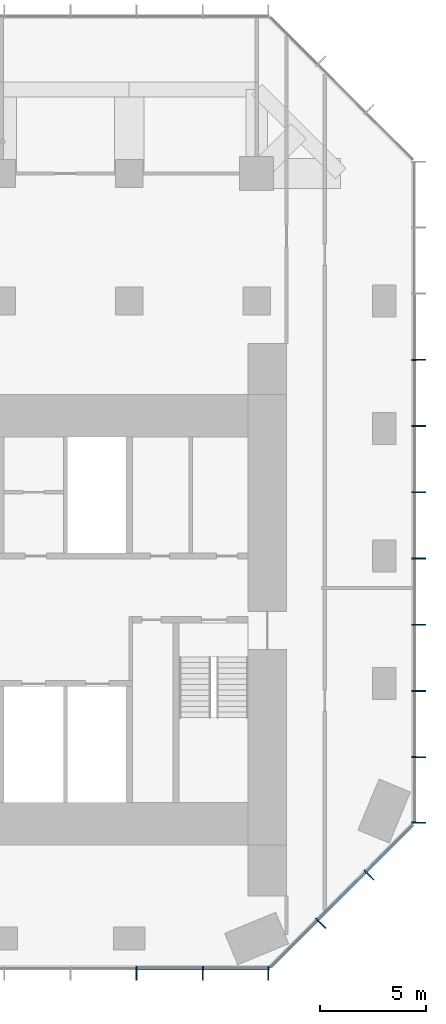
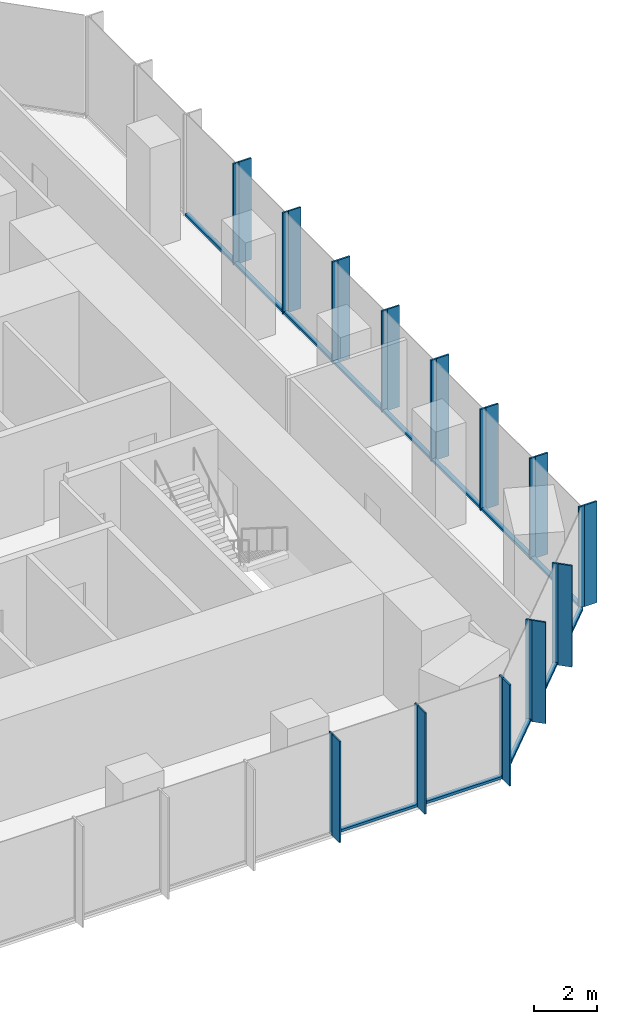
# One storey, part 4 of 11: 39 members, 3 elements without a shape of their own.
"""IFC4 building model written with IfcOpenShell, lengths in metres."""

from ifc_helpers import new_model, si_unit, direction, frame, origin, origin_2d, place, context, subcontext, project, spatial, rectangle, extrude, material, layer, layer_set, material_profile, profile_set, type_object, element, aggregate, save


model = new_model("IFC4")

# Units and contexts
model_context = context("Model", 3, precision=1e-05, world=origin(), true_north=direction((0.0, 1.0)))
body_context = subcontext(model_context, "Body", "Model", "MODEL_VIEW")
ifc_project = project(units=[si_unit("LENGTHUNIT", "METRE"), si_unit("AREAUNIT", "SQUARE_METRE"), si_unit("VOLUMEUNIT", "CUBIC_METRE"), si_unit("PLANEANGLEUNIT", "RADIAN"), si_unit("MASSUNIT", "GRAM", prefix="KILO")], contexts=[model_context])

# Site, building, storey
site_placement = place(None, origin())
site = spatial("IfcSite", under=ifc_project, at=site_placement, CompositionType="ELEMENT")
building_placement = place(site_placement, origin())
building = spatial("IfcBuilding", under=site, at=building_placement, Name="Highveld Stack Headquarters", CompositionType="ELEMENT")
storey_placement = place(building_placement, frame((0.0, 0.0, 200.60009765625)))
storey = spatial("IfcBuildingStorey", under=building, at=storey_placement, Name="L49", CompositionType="ELEMENT", Elevation=200.60009765625)

# Curtain wall, members
ifc_material_1 = material(Name="Aluminium bronze anodised", Category="aluminium")
ifc_layer_1 = layer(ifc_material_1, 0.199951171875)
ifc_layer_set_1 = layer_set([ifc_layer_1], Name="Aluminium bronze anodised")
curtain_wall_type_1 = type_object("IfcCurtainWallType", Name="CW1 TOWER UNITISED CURTAIN WALL", PredefinedType="NOTDEFINED", material=ifc_layer_set_1)
curtain_wall_1_placement = place(storey_placement, origin())
curtain_wall_1 = element("IfcCurtainWall", 1, at=curtain_wall_1_placement, inside=storey, type_object=curtain_wall_type_1, Name="Curtain wall CW1 L49 S", PredefinedType="NOTDEFINED")
ifc_material_2 = material(Name="Aluminium bronze anodised", Category="aluminium")
ifc_material_profile_1 = material_profile(ifc_material_2, rectangle(XDim=0.449951171875, YDim=0.06005859375, at=origin_2d()), Name="FIN 450x60")
ifc_profile_set_1 = profile_set([ifc_material_profile_1], Name="Aluminium bronze anodised")
member_type_1 = type_object("IfcMemberType", Name="CW1 BRONZE FIN 450x60", PredefinedType="USERDEFINED", material=ifc_profile_set_1)
member_1_placement = place(storey_placement, frame((12.347900390625, -13.72509765625, 0.0), z_axis=(0.0, 0.0, 1.0), x_axis=(0.0, 1.0, 0.0)))
member_1 = element("IfcMember", 2, at=member_1_placement, type_object=member_type_1, Name="CW1 fin L49 9", ObjectType="FIN", PredefinedType="USERDEFINED", context=body_context, shape_type="SweptSolid", body=[
    extrude(rectangle(XDim=0.449951171875, YDim=0.06005859375, at=origin_2d()), origin(), (0.0, 0.0, 1.0), 3.89990234375),
])
member_2_placement = place(storey_placement, frame((15.4638671875, -13.72509765625, 0.0), z_axis=(0.0, 0.0, 1.0), x_axis=(0.0, 1.0, 0.0)))
member_2 = element("IfcMember", 3, at=member_2_placement, type_object=member_type_1, Name="CW1 fin L49 10", ObjectType="FIN", PredefinedType="USERDEFINED", context=body_context, shape_type="SweptSolid", body=[
    extrude(rectangle(XDim=0.449951171875, YDim=0.06005859375, at=origin_2d()), origin(), (0.0, 0.0, 1.0), 3.89990234375),
])
member_3_placement = place(storey_placement, frame((18.54736328125, -13.72509765625, 0.0), z_axis=(0.0, 0.0, 1.0), x_axis=(0.0, 1.0, 0.0)))
member_3 = element("IfcMember", 4, at=member_3_placement, type_object=member_type_1, Name="CW1 fin L49 11", ObjectType="FIN", PredefinedType="USERDEFINED", context=body_context, shape_type="SweptSolid", body=[
    extrude(rectangle(XDim=0.449951171875, YDim=0.06005859375, at=origin_2d()), origin(), (0.0, 0.0, 1.0), 3.89990234375),
])

curtain_wall_2_placement = place(storey_placement, origin())
curtain_wall_2 = element("IfcCurtainWall", 5, at=curtain_wall_2_placement, inside=storey, type_object=curtain_wall_type_1, Name="Curtain wall CW1 L49 E", PredefinedType="NOTDEFINED")
member_4_placement = place(storey_placement, frame((25.72509765625, -6.54736328125, 0.0), z_axis=(0.0, 0.0, 1.0), x_axis=(-1.0, 0.0, 0.0)))
member_4 = element("IfcMember", 6, at=member_4_placement, type_object=member_type_1, Name="CW1 fin L49 1", ObjectType="FIN", PredefinedType="USERDEFINED", context=body_context, shape_type="SweptSolid", body=[
    extrude(rectangle(XDim=0.449951171875, YDim=0.06005859375, at=origin_2d()), origin(), (0.0, 0.0, 1.0), 3.89990234375),
])
member_5_placement = place(storey_placement, frame((25.72509765625, -3.4638671875, 0.0), z_axis=(0.0, 0.0, 1.0), x_axis=(-1.0, 0.0, 0.0)))
member_5 = element("IfcMember", 7, at=member_5_placement, type_object=member_type_1, Name="CW1 fin L49 2", ObjectType="FIN", PredefinedType="USERDEFINED", context=body_context, shape_type="SweptSolid", body=[
    extrude(rectangle(XDim=0.449951171875, YDim=0.06005859375, at=origin_2d()), origin(), (0.0, 0.0, 1.0), 3.89990234375),
])
member_6_placement = place(storey_placement, frame((25.72509765625, -0.347900390625, 0.0), z_axis=(0.0, 0.0, 1.0), x_axis=(-1.0, 0.0, 0.0)))
member_6 = element("IfcMember", 8, at=member_6_placement, type_object=member_type_1, Name="CW1 fin L49 3", ObjectType="FIN", PredefinedType="USERDEFINED", context=body_context, shape_type="SweptSolid", body=[
    extrude(rectangle(XDim=0.449951171875, YDim=0.06005859375, at=origin_2d()), origin(), (0.0, 0.0, 1.0), 3.89990234375),
])
member_7_placement = place(storey_placement, frame((25.72509765625, 2.76806640625, 0.0), z_axis=(0.0, 0.0, 1.0), x_axis=(-1.0, 0.0, 0.0)))
member_7 = element("IfcMember", 9, at=member_7_placement, type_object=member_type_1, Name="CW1 fin L49 4", ObjectType="FIN", PredefinedType="USERDEFINED", context=body_context, shape_type="SweptSolid", body=[
    extrude(rectangle(XDim=0.449951171875, YDim=0.06005859375, at=origin_2d()), origin(), (0.0, 0.0, 1.0), 3.89990234375),
])
member_8_placement = place(storey_placement, frame((25.72509765625, 5.884033203125, 0.0), z_axis=(0.0, 0.0, 1.0), x_axis=(-1.0, 0.0, 0.0)))
member_8 = element("IfcMember", 10, at=member_8_placement, type_object=member_type_1, Name="CW1 fin L49 5", ObjectType="FIN", PredefinedType="USERDEFINED", context=body_context, shape_type="SweptSolid", body=[
    extrude(rectangle(XDim=0.449951171875, YDim=0.06005859375, at=origin_2d()), origin(), (0.0, 0.0, 1.0), 3.89990234375),
])
member_9_placement = place(storey_placement, frame((25.72509765625, 9.0, 0.0), z_axis=(0.0, 0.0, 1.0), x_axis=(-1.0, 0.0, 0.0)))
member_9 = element("IfcMember", 11, at=member_9_placement, type_object=member_type_1, Name="CW1 fin L49 6", ObjectType="FIN", PredefinedType="USERDEFINED", context=body_context, shape_type="SweptSolid", body=[
    extrude(rectangle(XDim=0.449951171875, YDim=0.06005859375, at=origin_2d()), origin(), (0.0, 0.0, 1.0), 3.89990234375),
])
member_10_placement = place(storey_placement, frame((25.72509765625, 12.115966796875, 0.0), z_axis=(0.0, 0.0, 1.0), x_axis=(-1.0, 0.0, 0.0)))
member_10 = element("IfcMember", 12, at=member_10_placement, type_object=member_type_1, Name="CW1 fin L49 7", ObjectType="FIN", PredefinedType="USERDEFINED", context=body_context, shape_type="SweptSolid", body=[
    extrude(rectangle(XDim=0.449951171875, YDim=0.06005859375, at=origin_2d()), origin(), (0.0, 0.0, 1.0), 3.89990234375),
])
member_11_placement = place(storey_placement, frame((25.72509765625, 15.23193359375, 0.0), z_axis=(0.0, 0.0, 1.0), x_axis=(-1.0, 0.0, 0.0)))
member_11 = element("IfcMember", 13, at=member_11_placement, type_object=member_type_1, Name="CW1 fin L49 8", ObjectType="FIN", PredefinedType="USERDEFINED", context=body_context, shape_type="SweptSolid", body=[
    extrude(rectangle(XDim=0.449951171875, YDim=0.06005859375, at=origin_2d()), origin(), (0.0, 0.0, 1.0), 3.89990234375),
])

# Member
ifc_material_3 = material(Name="Aluminium bronze anodised", Category="aluminium")
ifc_material_profile_2 = material_profile(ifc_material_3, rectangle(XDim=0.199951171875, YDim=0.06494140625, at=origin_2d()), Name="CW1 MULLION 65x200")
ifc_profile_set_2 = profile_set([ifc_material_profile_2], Name="Aluminium bronze anodised")
member_type_2 = type_object("IfcMemberType", Name="CW1 MULLION 65x200", PredefinedType="MULLION", material=ifc_profile_set_2)
member_12_placement = place(storey_placement, frame((12.347900390625, -13.39990234375, 0.0), z_axis=(0.0, 0.0, 1.0), x_axis=(0.0, 1.0, 0.0)))
member_12 = element("IfcMember", 14, at=member_12_placement, type_object=member_type_2, Name="CW1 mullion L49 9", PredefinedType="MULLION", context=body_context, shape_type="SweptSolid", body=[
    extrude(rectangle(XDim=0.199951171875, YDim=0.06494140625, at=origin_2d()), origin(), (0.0, 0.0, 1.0), 3.89990234375),
])

member_13_placement = place(storey_placement, frame((15.4638671875, -13.39990234375, 0.0), z_axis=(0.0, 0.0, 1.0), x_axis=(0.0, 1.0, 0.0)))
member_13 = element("IfcMember", 15, at=member_13_placement, type_object=member_type_2, Name="CW1 mullion L49 10", PredefinedType="MULLION", context=body_context, shape_type="SweptSolid", body=[
    extrude(rectangle(XDim=0.199951171875, YDim=0.06494140625, at=origin_2d()), origin(), (0.0, 0.0, 1.0), 3.89990234375),
])

member_14_placement = place(storey_placement, frame((18.54736328125, -13.39990234375, 0.0), z_axis=(0.0, 0.0, 1.0), x_axis=(0.0, 1.0, 0.0)))
member_14 = element("IfcMember", 16, at=member_14_placement, type_object=member_type_2, Name="CW1 mullion L49 11", PredefinedType="MULLION", context=body_context, shape_type="SweptSolid", body=[
    extrude(rectangle(XDim=0.199951171875, YDim=0.06494140625, at=origin_2d()), origin(), (0.0, 0.0, 1.0), 3.89990234375),
])

member_15_placement = place(storey_placement, frame((25.39990234375, -6.54736328125, 0.0), z_axis=(0.0, 0.0, 1.0), x_axis=(-1.0, 0.0, 0.0)))
member_15 = element("IfcMember", 17, at=member_15_placement, type_object=member_type_2, Name="CW1 mullion L49 1", PredefinedType="MULLION", context=body_context, shape_type="SweptSolid", body=[
    extrude(rectangle(XDim=0.199951171875, YDim=0.06494140625, at=origin_2d()), origin(), (0.0, 0.0, 1.0), 3.89990234375),
])

member_16_placement = place(storey_placement, frame((25.39990234375, -3.4638671875, 0.0), z_axis=(0.0, 0.0, 1.0), x_axis=(-1.0, 0.0, 0.0)))
member_16 = element("IfcMember", 18, at=member_16_placement, type_object=member_type_2, Name="CW1 mullion L49 2", PredefinedType="MULLION", context=body_context, shape_type="SweptSolid", body=[
    extrude(rectangle(XDim=0.199951171875, YDim=0.06494140625, at=origin_2d()), origin(), (0.0, 0.0, 1.0), 3.89990234375),
])

member_17_placement = place(storey_placement, frame((25.39990234375, -0.347900390625, 0.0), z_axis=(0.0, 0.0, 1.0), x_axis=(-1.0, 0.0, 0.0)))
member_17 = element("IfcMember", 19, at=member_17_placement, type_object=member_type_2, Name="CW1 mullion L49 3", PredefinedType="MULLION", context=body_context, shape_type="SweptSolid", body=[
    extrude(rectangle(XDim=0.199951171875, YDim=0.06494140625, at=origin_2d()), origin(), (0.0, 0.0, 1.0), 3.89990234375),
])

member_18_placement = place(storey_placement, frame((25.39990234375, 2.76806640625, 0.0), z_axis=(0.0, 0.0, 1.0), x_axis=(-1.0, 0.0, 0.0)))
member_18 = element("IfcMember", 20, at=member_18_placement, type_object=member_type_2, Name="CW1 mullion L49 4", PredefinedType="MULLION", context=body_context, shape_type="SweptSolid", body=[
    extrude(rectangle(XDim=0.199951171875, YDim=0.06494140625, at=origin_2d()), origin(), (0.0, 0.0, 1.0), 3.89990234375),
])

member_19_placement = place(storey_placement, frame((25.39990234375, 5.884033203125, 0.0), z_axis=(0.0, 0.0, 1.0), x_axis=(-1.0, 0.0, 0.0)))
member_19 = element("IfcMember", 21, at=member_19_placement, type_object=member_type_2, Name="CW1 mullion L49 5", PredefinedType="MULLION", context=body_context, shape_type="SweptSolid", body=[
    extrude(rectangle(XDim=0.199951171875, YDim=0.06494140625, at=origin_2d()), origin(), (0.0, 0.0, 1.0), 3.89990234375),
])

member_20_placement = place(storey_placement, frame((25.39990234375, 9.0, 0.0), z_axis=(0.0, 0.0, 1.0), x_axis=(-1.0, 0.0, 0.0)))
member_20 = element("IfcMember", 22, at=member_20_placement, type_object=member_type_2, Name="CW1 mullion L49 6", PredefinedType="MULLION", context=body_context, shape_type="SweptSolid", body=[
    extrude(rectangle(XDim=0.199951171875, YDim=0.06494140625, at=origin_2d()), origin(), (0.0, 0.0, 1.0), 3.89990234375),
])

member_21_placement = place(storey_placement, frame((25.39990234375, 12.115966796875, 0.0), z_axis=(0.0, 0.0, 1.0), x_axis=(-1.0, 0.0, 0.0)))
member_21 = element("IfcMember", 23, at=member_21_placement, type_object=member_type_2, Name="CW1 mullion L49 7", PredefinedType="MULLION", context=body_context, shape_type="SweptSolid", body=[
    extrude(rectangle(XDim=0.199951171875, YDim=0.06494140625, at=origin_2d()), origin(), (0.0, 0.0, 1.0), 3.89990234375),
])

member_22_placement = place(storey_placement, frame((25.39990234375, 15.23193359375, 0.0), z_axis=(0.0, 0.0, 1.0), x_axis=(-1.0, 0.0, 0.0)))
member_22 = element("IfcMember", 24, at=member_22_placement, type_object=member_type_2, Name="CW1 mullion L49 8", PredefinedType="MULLION", context=body_context, shape_type="SweptSolid", body=[
    extrude(rectangle(XDim=0.199951171875, YDim=0.06494140625, at=origin_2d()), origin(), (0.0, 0.0, 1.0), 3.89990234375),
])

ifc_material_4 = material(Name="Aluminium bronze anodised", Category="aluminium")
ifc_material_profile_3 = material_profile(ifc_material_4, rectangle(XDim=0.14990234375, YDim=0.10009765625, at=origin_2d()), Name="CW1 TRANSOM 150x100")
ifc_profile_set_3 = profile_set([ifc_material_profile_3], Name="Aluminium bronze anodised")
member_type_3 = type_object("IfcMemberType", Name="CW1 STACK TRANSOM 150x100", PredefinedType="USERDEFINED", material=ifc_profile_set_3)
member_23_placement = place(storey_placement, frame((12.38037109375, -13.39990234375, 0.0498046875), z_axis=(1.0, 0.0, 0.0), x_axis=(0.0, 1.0, 0.0)))
member_23 = element("IfcMember", 25, at=member_23_placement, type_object=member_type_3, Name="CW1 transom L49 9.1", ObjectType="TRANSOM", PredefinedType="USERDEFINED", context=body_context, shape_type="SweptSolid", body=[
    extrude(rectangle(XDim=0.14990234375, YDim=0.10009765625, at=origin_2d()), origin(), (0.0, 0.0, 1.0), 3.051025390625),
])

member_24_placement = place(storey_placement, frame((15.496337890625, -13.39990234375, 0.0498046875), z_axis=(1.0, 0.0, 0.0), x_axis=(0.0, 1.0, 0.0)))
member_24 = element("IfcMember", 26, at=member_24_placement, type_object=member_type_3, Name="CW1 transom L49 10.1", ObjectType="TRANSOM", PredefinedType="USERDEFINED", context=body_context, shape_type="SweptSolid", body=[
    extrude(rectangle(XDim=0.14990234375, YDim=0.10009765625, at=origin_2d()), origin(), (0.0, 0.0, 1.0), 3.0185546875),
])

aggregate(curtain_wall_1, [member_12, member_1, member_13, member_2, member_14, member_3, member_23, member_24])

member_25_placement = place(storey_placement, frame((25.39990234375, -6.514892578125, 0.0498046875), z_axis=(0.0, 1.0, 0.0), x_axis=(-1.0, 0.0, 0.0)))
member_25 = element("IfcMember", 27, at=member_25_placement, type_object=member_type_3, Name="CW1 transom L49 1.1", ObjectType="TRANSOM", PredefinedType="USERDEFINED", context=body_context, shape_type="SweptSolid", body=[
    extrude(rectangle(XDim=0.14990234375, YDim=0.10009765625, at=origin_2d()), origin(), (0.0, 0.0, 1.0), 3.0185546875),
])

member_26_placement = place(storey_placement, frame((25.39990234375, -3.431396484375, 0.0498046875), z_axis=(0.0, 1.0, 0.0), x_axis=(-1.0, 0.0, 0.0)))
member_26 = element("IfcMember", 28, at=member_26_placement, type_object=member_type_3, Name="CW1 transom L49 2.1", ObjectType="TRANSOM", PredefinedType="USERDEFINED", context=body_context, shape_type="SweptSolid", body=[
    extrude(rectangle(XDim=0.14990234375, YDim=0.10009765625, at=origin_2d()), origin(), (0.0, 0.0, 1.0), 3.051025390625),
])

member_27_placement = place(storey_placement, frame((25.39990234375, -0.3154296875, 0.0498046875), z_axis=(0.0, 1.0, 0.0), x_axis=(-1.0, 0.0, 0.0)))
member_27 = element("IfcMember", 29, at=member_27_placement, type_object=member_type_3, Name="CW1 transom L49 3.1", ObjectType="TRANSOM", PredefinedType="USERDEFINED", context=body_context, shape_type="SweptSolid", body=[
    extrude(rectangle(XDim=0.14990234375, YDim=0.10009765625, at=origin_2d()), origin(), (0.0, 0.0, 1.0), 3.051025390625),
])

member_28_placement = place(storey_placement, frame((25.39990234375, 2.800537109375, 0.0498046875), z_axis=(0.0, 1.0, 0.0), x_axis=(-1.0, 0.0, 0.0)))
member_28 = element("IfcMember", 30, at=member_28_placement, type_object=member_type_3, Name="CW1 transom L49 4.1", ObjectType="TRANSOM", PredefinedType="USERDEFINED", context=body_context, shape_type="SweptSolid", body=[
    extrude(rectangle(XDim=0.14990234375, YDim=0.10009765625, at=origin_2d()), origin(), (0.0, 0.0, 1.0), 3.051025390625),
])

member_29_placement = place(storey_placement, frame((25.39990234375, 5.91650390625, 0.0498046875), z_axis=(0.0, 1.0, 0.0), x_axis=(-1.0, 0.0, 0.0)))
member_29 = element("IfcMember", 31, at=member_29_placement, type_object=member_type_3, Name="CW1 transom L49 5.1", ObjectType="TRANSOM", PredefinedType="USERDEFINED", context=body_context, shape_type="SweptSolid", body=[
    extrude(rectangle(XDim=0.14990234375, YDim=0.10009765625, at=origin_2d()), origin(), (0.0, 0.0, 1.0), 3.051025390625),
])

member_30_placement = place(storey_placement, frame((25.39990234375, 9.032470703125, 0.0498046875), z_axis=(0.0, 1.0, 0.0), x_axis=(-1.0, 0.0, 0.0)))
member_30 = element("IfcMember", 32, at=member_30_placement, type_object=member_type_3, Name="CW1 transom L49 6.1", ObjectType="TRANSOM", PredefinedType="USERDEFINED", context=body_context, shape_type="SweptSolid", body=[
    extrude(rectangle(XDim=0.14990234375, YDim=0.10009765625, at=origin_2d()), origin(), (0.0, 0.0, 1.0), 3.051025390625),
])

member_31_placement = place(storey_placement, frame((25.39990234375, 12.1484375, 0.0498046875), z_axis=(0.0, 1.0, 0.0), x_axis=(-1.0, 0.0, 0.0)))
member_31 = element("IfcMember", 33, at=member_31_placement, type_object=member_type_3, Name="CW1 transom L49 7.1", ObjectType="TRANSOM", PredefinedType="USERDEFINED", context=body_context, shape_type="SweptSolid", body=[
    extrude(rectangle(XDim=0.14990234375, YDim=0.10009765625, at=origin_2d()), origin(), (0.0, 0.0, 1.0), 3.051025390625),
])

member_32_placement = place(storey_placement, frame((25.39990234375, 15.264404296875, 0.0498046875), z_axis=(0.0, 1.0, 0.0), x_axis=(-1.0, 0.0, 0.0)))
member_32 = element("IfcMember", 34, at=member_32_placement, type_object=member_type_3, Name="CW1 transom L49 8.1", ObjectType="TRANSOM", PredefinedType="USERDEFINED", context=body_context, shape_type="SweptSolid", body=[
    extrude(rectangle(XDim=0.14990234375, YDim=0.10009765625, at=origin_2d()), origin(), (0.0, 0.0, 1.0), 3.051025390625),
])

aggregate(curtain_wall_2, [member_15, member_4, member_16, member_5, member_17, member_6, member_18, member_7, member_19, member_8, member_20, member_9, member_21, member_10, member_22, member_11, member_25, member_26, member_27, member_28, member_29, member_30, member_31, member_32])

# Curtain wall, members
ifc_material_5 = material(Name="Aluminium bronze anodised", Category="aluminium")
ifc_layer_2 = layer(ifc_material_5, 0.199951171875)
ifc_layer_set_2 = layer_set([ifc_layer_2], Name="Aluminium bronze anodised")
curtain_wall_type_2 = type_object("IfcCurtainWallType", Name="CW2 TOWER CHAMFER UNITISED CURTAIN WALL", PredefinedType="NOTDEFINED", material=ifc_layer_set_2)
curtain_wall_3_placement = place(storey_placement, origin())
curtain_wall_3 = element("IfcCurtainWall", 35, at=curtain_wall_3_placement, inside=storey, type_object=curtain_wall_type_2, Name="Curtain wall CW2 L49 SE", PredefinedType="NOTDEFINED")
ifc_material_6 = material(Name="Aluminium bronze anodised", Category="aluminium")
ifc_material_profile_4 = material_profile(ifc_material_6, rectangle(XDim=0.449951171875, YDim=0.06005859375, at=origin_2d()), Name="FIN 450x60")
ifc_profile_set_4 = profile_set([ifc_material_profile_4], Name="Aluminium bronze anodised")
member_type_4 = type_object("IfcMemberType", Name="CW2 BRONZE FIN 450x60", PredefinedType="USERDEFINED", material=ifc_profile_set_4)
member_33_placement = place(storey_placement, frame((21.0830078125, -11.3564453125, 0.0), z_axis=(0.0, 0.0, 1.0), x_axis=(-0.707106781187, 0.707106781187, 0.0)))
member_33 = element("IfcMember", 36, at=member_33_placement, type_object=member_type_4, Name="CW2 fin L49 1", ObjectType="FIN", PredefinedType="USERDEFINED", context=body_context, shape_type="SweptSolid", body=[
    extrude(rectangle(XDim=0.449951171875, YDim=0.06005859375, at=origin_2d()), origin(), (0.0, 0.0, 1.0), 3.89990234375),
])
member_34_placement = place(storey_placement, frame((23.3564453125, -9.0830078125, 0.0), z_axis=(0.0, 0.0, 1.0), x_axis=(-0.707106781187, 0.707106781187, 0.0)))
member_34 = element("IfcMember", 37, at=member_34_placement, type_object=member_type_4, Name="CW2 fin L49 2", ObjectType="FIN", PredefinedType="USERDEFINED", context=body_context, shape_type="SweptSolid", body=[
    extrude(rectangle(XDim=0.449951171875, YDim=0.06005859375, at=origin_2d()), origin(), (0.0, 0.0, 1.0), 3.89990234375),
])
ifc_material_7 = material(Name="Aluminium bronze anodised", Category="aluminium")
ifc_material_profile_5 = material_profile(ifc_material_7, rectangle(XDim=0.199951171875, YDim=0.06494140625, at=origin_2d()), Name="CW2 MULLION 65x200")
ifc_profile_set_5 = profile_set([ifc_material_profile_5], Name="Aluminium bronze anodised")
member_type_5 = type_object("IfcMemberType", Name="CW2 MULLION 65x200", PredefinedType="MULLION", material=ifc_profile_set_5)
member_35_placement = place(storey_placement, frame((20.853271484375, -11.126708984375, 0.0), z_axis=(0.0, 0.0, 1.0), x_axis=(-0.707106781187, 0.707106781187, 0.0)))
member_35 = element("IfcMember", 38, at=member_35_placement, type_object=member_type_5, Name="CW2 mullion L49 1", PredefinedType="MULLION", context=body_context, shape_type="SweptSolid", body=[
    extrude(rectangle(XDim=0.199951171875, YDim=0.06494140625, at=origin_2d()), origin(), (0.0, 0.0, 1.0), 3.89990234375),
])
member_36_placement = place(storey_placement, frame((23.126708984375, -8.853271484375, 0.0), z_axis=(0.0, 0.0, 1.0), x_axis=(-0.707106781187, 0.707106781187, 0.0)))
member_36 = element("IfcMember", 39, at=member_36_placement, type_object=member_type_5, Name="CW2 mullion L49 2", PredefinedType="MULLION", context=body_context, shape_type="SweptSolid", body=[
    extrude(rectangle(XDim=0.199951171875, YDim=0.06494140625, at=origin_2d()), origin(), (0.0, 0.0, 1.0), 3.89990234375),
])
ifc_material_8 = material(Name="Aluminium bronze anodised", Category="aluminium")
ifc_material_profile_6 = material_profile(ifc_material_8, rectangle(XDim=0.14990234375, YDim=0.10009765625, at=origin_2d()), Name="CW2 TRANSOM 150x100")
ifc_profile_set_6 = profile_set([ifc_material_profile_6], Name="Aluminium bronze anodised")
member_type_6 = type_object("IfcMemberType", Name="CW2 STACK TRANSOM 150x100", PredefinedType="USERDEFINED", material=ifc_profile_set_6)
member_37_placement = place(storey_placement, frame((18.650634765625, -13.329345703125, 0.0498046875), z_axis=(0.707106781187, 0.707106781187, 0.0), x_axis=(-0.707106781187, 0.707106781187, 0.0)))
member_37 = element("IfcMember", 40, at=member_37_placement, type_object=member_type_6, Name="CW2 transom L49 1.1", ObjectType="TRANSOM", PredefinedType="USERDEFINED", context=body_context, shape_type="SweptSolid", body=[
    extrude(rectangle(XDim=0.14990234375, YDim=0.10009765625, at=origin_2d()), origin(), (0.0, 0.0, 1.0), 3.08251953125),
])
member_38_placement = place(storey_placement, frame((20.876220703125, -11.103759765625, 0.0498046875), z_axis=(0.707106781187, 0.707106781187, 0.0), x_axis=(-0.707106781187, 0.707106781187, 0.0)))
member_38 = element("IfcMember", 41, at=member_38_placement, type_object=member_type_6, Name="CW2 transom L49 2.1", ObjectType="TRANSOM", PredefinedType="USERDEFINED", context=body_context, shape_type="SweptSolid", body=[
    extrude(rectangle(XDim=0.14990234375, YDim=0.10009765625, at=origin_2d()), origin(), (0.0, 0.0, 1.0), 3.150146484375),
])
member_39_placement = place(storey_placement, frame((23.149658203125, -8.830322265625, 0.0498046875), z_axis=(0.707106781187, 0.707106781187, 0.0), x_axis=(-0.707106781187, 0.707106781187, 0.0)))
member_39 = element("IfcMember", 42, at=member_39_placement, type_object=member_type_6, Name="CW2 transom L49 3.1", ObjectType="TRANSOM", PredefinedType="USERDEFINED", context=body_context, shape_type="SweptSolid", body=[
    extrude(rectangle(XDim=0.14990234375, YDim=0.10009765625, at=origin_2d()), origin(), (0.0, 0.0, 1.0), 3.08251953125),
])
aggregate(curtain_wall_3, [member_35, member_33, member_36, member_34, member_37, member_38, member_39])

save(model, "model.ifc")
